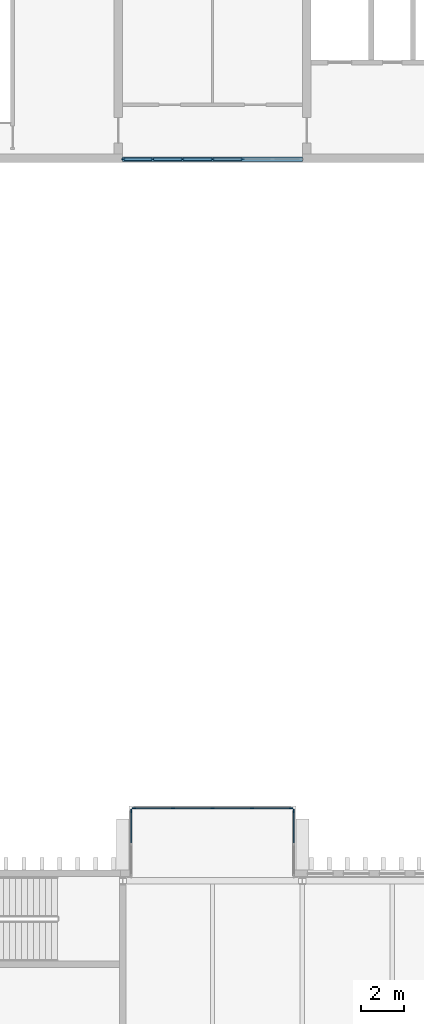
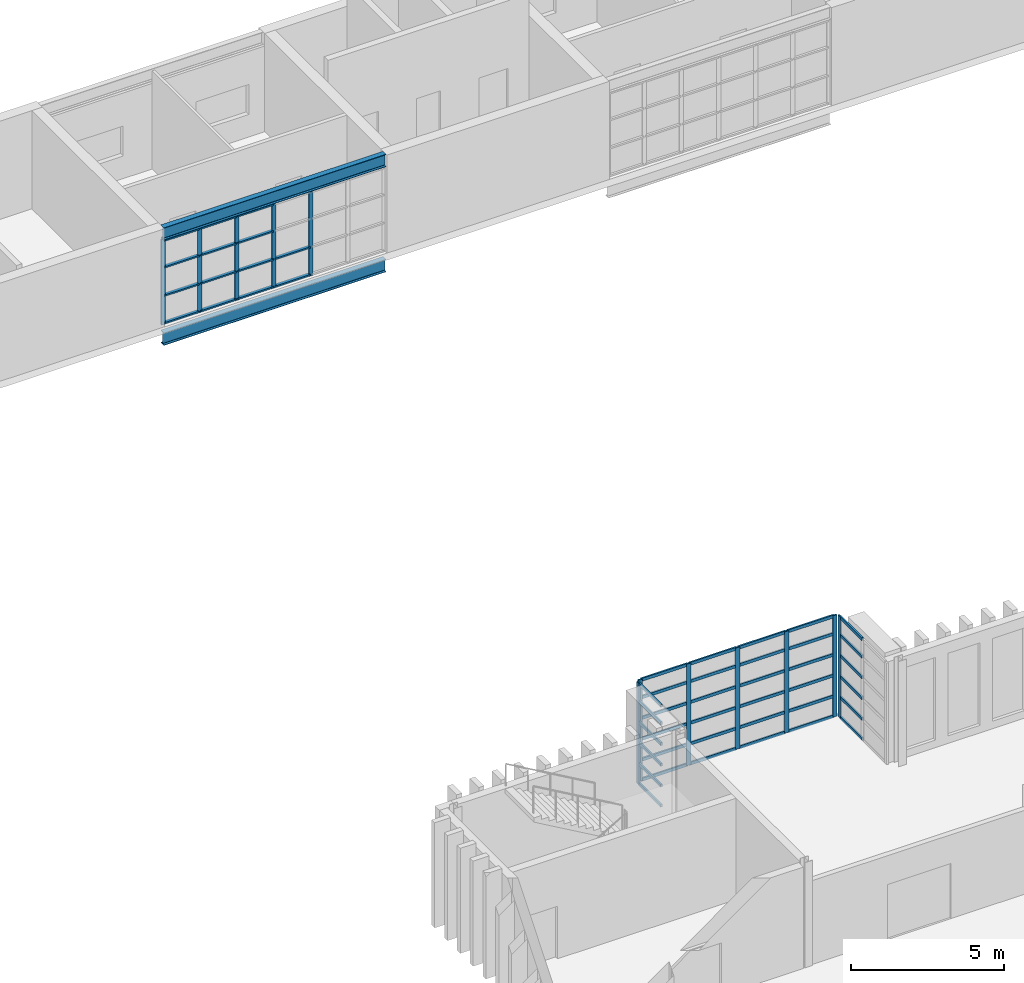
# One storey, part 19 of 100: 62 members, 2 beams, 4 elements without a shape of their own.
"""IFC4 building model written with IfcOpenShell, lengths in metres."""

from ifc_helpers import new_model, si_unit, direction, frame, origin, origin_2d, place, context, subcontext, project, spatial, rectangle, i_section, extrude, material, layer, layer_set, material_profile, profile_set, type_object, element, aggregate, save


model = new_model("IFC4")

# Units and contexts
model_context = context("Model", 3, precision=1e-05, world=origin(), true_north=direction((0.0, 1.0)))
body_context = subcontext(model_context, "Body", "Model", "MODEL_VIEW")
ifc_project = project(units=[si_unit("LENGTHUNIT", "METRE"), si_unit("AREAUNIT", "SQUARE_METRE"), si_unit("VOLUMEUNIT", "CUBIC_METRE"), si_unit("PLANEANGLEUNIT", "RADIAN"), si_unit("MASSUNIT", "GRAM", prefix="KILO")], contexts=[model_context])

# Site, building, storey
site_placement = place(None, origin())
site = spatial("IfcSite", under=ifc_project, at=site_placement, CompositionType="ELEMENT")
building_placement = place(site_placement, origin())
building = spatial("IfcBuilding", under=site, at=building_placement, Name="Cresset Court Congress Hotel", CompositionType="ELEMENT")
storey_placement = place(building_placement, frame((0.0, 0.0, 10.199951171875)))
storey = spatial("IfcBuildingStorey", under=building, at=storey_placement, Name="L02", CompositionType="ELEMENT", Elevation=10.199951171875)

# Curtain wall, members
ifc_material_1 = material(Name="Aluminium frame with double glazing", Category="aluminium")
ifc_layer = layer(ifc_material_1, 0.199951171875)
ifc_layer_set = layer_set([ifc_layer], Name="Glazed box curtain wall 1680 module")
curtain_wall_type_1 = type_object("IfcCurtainWallType", Name="Glazed box curtain wall 1680 module", PredefinedType="NOTDEFINED", material=ifc_layer_set)
curtain_wall_1_placement = place(storey_placement, origin())
curtain_wall_1 = element("IfcCurtainWall", 1, at=curtain_wall_1_placement, inside=storey, type_object=curtain_wall_type_1, Name="Glazed box N0224 front", PredefinedType="NOTDEFINED")
ifc_material_2 = material(Name="Aluminium", Category="aluminium")
ifc_material_profile_1 = material_profile(ifc_material_2, rectangle(XDim=0.06005859375, YDim=0.159912109375, at=origin_2d()), Name="Box mullion 60x160")
ifc_profile_set_1 = profile_set([ifc_material_profile_1], Name="Aluminium")
member_type_1 = type_object("IfcMemberType", Name="Box mullion 60x160", PredefinedType="MULLION", material=ifc_profile_set_1)
member_1_placement = place(storey_placement, frame((17.330078125, 28.60009765625, 0.0), z_axis=(0.0, 0.0, 1.0), x_axis=(0.0, 1.0, 0.0)))
member_1 = element("IfcMember", 2, at=member_1_placement, type_object=member_type_1, Name="B-X1 mullion 1", PredefinedType="MULLION", context=body_context, shape_type="SweptSolid", body=[
    extrude(rectangle(XDim=0.06005859375, YDim=0.159912109375, at=origin_2d()), origin(), (0.0, 0.0, 1.0), 4.050048828125),
])
member_2_placement = place(storey_placement, frame((19.14990234375, 28.60009765625, 0.0), z_axis=(0.0, 0.0, 1.0), x_axis=(0.0, 1.0, 0.0)))
member_2 = element("IfcMember", 3, at=member_2_placement, type_object=member_type_1, Name="B-X1 mullion 2", PredefinedType="MULLION", context=body_context, shape_type="SweptSolid", body=[
    extrude(rectangle(XDim=0.06005859375, YDim=0.159912109375, at=origin_2d()), origin(), (0.0, 0.0, 1.0), 4.050048828125),
])
member_3_placement = place(storey_placement, frame((21.0, 28.60009765625, 0.0), z_axis=(0.0, 0.0, 1.0), x_axis=(0.0, 1.0, 0.0)))
member_3 = element("IfcMember", 4, at=member_3_placement, type_object=member_type_1, Name="B-X1 mullion 3", PredefinedType="MULLION", context=body_context, shape_type="SweptSolid", body=[
    extrude(rectangle(XDim=0.06005859375, YDim=0.159912109375, at=origin_2d()), origin(), (0.0, 0.0, 1.0), 4.050048828125),
])
member_4_placement = place(storey_placement, frame((22.85009765625, 28.60009765625, 0.0), z_axis=(0.0, 0.0, 1.0), x_axis=(0.0, 1.0, 0.0)))
member_4 = element("IfcMember", 5, at=member_4_placement, type_object=member_type_1, Name="B-X1 mullion 4", PredefinedType="MULLION", context=body_context, shape_type="SweptSolid", body=[
    extrude(rectangle(XDim=0.06005859375, YDim=0.159912109375, at=origin_2d()), origin(), (0.0, 0.0, 1.0), 4.050048828125),
])
member_5_placement = place(storey_placement, frame((24.669921875, 28.60009765625, 0.0), z_axis=(0.0, 0.0, 1.0), x_axis=(0.0, 1.0, 0.0)))
member_5 = element("IfcMember", 6, at=member_5_placement, type_object=member_type_1, Name="B-X1 mullion 5", PredefinedType="MULLION", context=body_context, shape_type="SweptSolid", body=[
    extrude(rectangle(XDim=0.06005859375, YDim=0.159912109375, at=origin_2d()), origin(), (0.0, 0.0, 1.0), 4.050048828125),
])

# Curtain wall, member
curtain_wall_2_placement = place(storey_placement, origin())
curtain_wall_2 = element("IfcCurtainWall", 7, at=curtain_wall_2_placement, inside=storey, type_object=curtain_wall_type_1, Name="Glazed box N0224 side", PredefinedType="NOTDEFINED")
member_6_placement = place(storey_placement, frame((17.199951171875, 28.469970703125, 0.0), z_axis=(0.0, 0.0, 1.0), x_axis=(-1.0, 0.0, 0.0)))
member_6 = element("IfcMember", 8, at=member_6_placement, type_object=member_type_1, Name="B-X1 mullion 3", PredefinedType="MULLION", context=body_context, shape_type="SweptSolid", body=[
    extrude(rectangle(XDim=0.06005859375, YDim=0.159912109375, at=origin_2d()), origin(), (0.0, 0.0, 1.0), 4.050048828125),
])

curtain_wall_3_placement = place(storey_placement, origin())
curtain_wall_3 = element("IfcCurtainWall", 9, at=curtain_wall_3_placement, inside=storey, type_object=curtain_wall_type_1, Name="Glazed box N0224 side", PredefinedType="NOTDEFINED")
member_7_placement = place(storey_placement, frame((24.800048828125, 28.469970703125, 0.0), z_axis=(0.0, 0.0, 1.0), x_axis=(-1.0, 0.0, 0.0)))
member_7 = element("IfcMember", 10, at=member_7_placement, type_object=member_type_1, Name="B-X1 mullion 3", PredefinedType="MULLION", context=body_context, shape_type="SweptSolid", body=[
    extrude(rectangle(XDim=0.06005859375, YDim=0.159912109375, at=origin_2d()), origin(), (0.0, 0.0, 1.0), 4.050048828125),
])

# Member
ifc_material_3 = material(Name="Aluminium", Category="aluminium")
ifc_material_profile_2 = material_profile(ifc_material_3, rectangle(XDim=0.06005859375, YDim=0.1201171875, at=origin_2d()), Name="Box transom 60x120")
ifc_profile_set_2 = profile_set([ifc_material_profile_2], Name="Aluminium")
member_type_2 = type_object("IfcMemberType", Name="Box transom 60x120", PredefinedType="USERDEFINED", material=ifc_profile_set_2)
member_8_placement = place(storey_placement, frame((17.360107421875, 28.60009765625, 0.030029296875), z_axis=(1.0, 0.0, 0.0), x_axis=(0.0, 1.0, 0.0)))
member_8 = element("IfcMember", 11, at=member_8_placement, type_object=member_type_2, Name="B-X1 transom 1.1", ObjectType="TRANSOM", PredefinedType="USERDEFINED", context=body_context, shape_type="SweptSolid", body=[
    extrude(rectangle(XDim=0.06005859375, YDim=0.1201171875, at=origin_2d()), origin(), (0.0, 0.0, 1.0), 1.760009765625),
])

member_9_placement = place(storey_placement, frame((17.360107421875, 28.60009765625, 0.830078125), z_axis=(1.0, 0.0, 0.0), x_axis=(0.0, 1.0, 0.0)))
member_9 = element("IfcMember", 12, at=member_9_placement, type_object=member_type_2, Name="B-X1 transom 1.2", ObjectType="TRANSOM", PredefinedType="USERDEFINED", context=body_context, shape_type="SweptSolid", body=[
    extrude(rectangle(XDim=0.06005859375, YDim=0.1201171875, at=origin_2d()), origin(), (0.0, 0.0, 1.0), 1.760009765625),
])

member_10_placement = place(storey_placement, frame((17.360107421875, 28.60009765625, 1.66015625), z_axis=(1.0, 0.0, 0.0), x_axis=(0.0, 1.0, 0.0)))
member_10 = element("IfcMember", 13, at=member_10_placement, type_object=member_type_2, Name="B-X1 transom 1.3", ObjectType="TRANSOM", PredefinedType="USERDEFINED", context=body_context, shape_type="SweptSolid", body=[
    extrude(rectangle(XDim=0.06005859375, YDim=0.1201171875, at=origin_2d()), origin(), (0.0, 0.0, 1.0), 1.760009765625),
])

member_11_placement = place(storey_placement, frame((17.360107421875, 28.60009765625, 2.489990234375), z_axis=(1.0, 0.0, 0.0), x_axis=(0.0, 1.0, 0.0)))
member_11 = element("IfcMember", 14, at=member_11_placement, type_object=member_type_2, Name="B-X1 transom 1.4", ObjectType="TRANSOM", PredefinedType="USERDEFINED", context=body_context, shape_type="SweptSolid", body=[
    extrude(rectangle(XDim=0.06005859375, YDim=0.1201171875, at=origin_2d()), origin(), (0.0, 0.0, 1.0), 1.760009765625),
])

member_12_placement = place(storey_placement, frame((17.360107421875, 28.60009765625, 3.320068359375), z_axis=(1.0, 0.0, 0.0), x_axis=(0.0, 1.0, 0.0)))
member_12 = element("IfcMember", 15, at=member_12_placement, type_object=member_type_2, Name="B-X1 transom 1.5", ObjectType="TRANSOM", PredefinedType="USERDEFINED", context=body_context, shape_type="SweptSolid", body=[
    extrude(rectangle(XDim=0.06005859375, YDim=0.1201171875, at=origin_2d()), origin(), (0.0, 0.0, 1.0), 1.760009765625),
])

member_13_placement = place(storey_placement, frame((17.360107421875, 28.60009765625, 4.02001953125), z_axis=(1.0, 0.0, 0.0), x_axis=(0.0, 1.0, 0.0)))
member_13 = element("IfcMember", 16, at=member_13_placement, type_object=member_type_2, Name="B-X1 transom 1.6", ObjectType="TRANSOM", PredefinedType="USERDEFINED", context=body_context, shape_type="SweptSolid", body=[
    extrude(rectangle(XDim=0.06005859375, YDim=0.1201171875, at=origin_2d()), origin(), (0.0, 0.0, 1.0), 1.760009765625),
])

member_14_placement = place(storey_placement, frame((19.179931640625, 28.60009765625, 0.030029296875), z_axis=(1.0, 0.0, 0.0), x_axis=(0.0, 1.0, 0.0)))
member_14 = element("IfcMember", 17, at=member_14_placement, type_object=member_type_2, Name="B-X1 transom 2.1", ObjectType="TRANSOM", PredefinedType="USERDEFINED", context=body_context, shape_type="SweptSolid", body=[
    extrude(rectangle(XDim=0.06005859375, YDim=0.1201171875, at=origin_2d()), origin(), (0.0, 0.0, 1.0), 1.7900390625),
])

member_15_placement = place(storey_placement, frame((19.179931640625, 28.60009765625, 0.830078125), z_axis=(1.0, 0.0, 0.0), x_axis=(0.0, 1.0, 0.0)))
member_15 = element("IfcMember", 18, at=member_15_placement, type_object=member_type_2, Name="B-X1 transom 2.2", ObjectType="TRANSOM", PredefinedType="USERDEFINED", context=body_context, shape_type="SweptSolid", body=[
    extrude(rectangle(XDim=0.06005859375, YDim=0.1201171875, at=origin_2d()), origin(), (0.0, 0.0, 1.0), 1.7900390625),
])

member_16_placement = place(storey_placement, frame((19.179931640625, 28.60009765625, 1.66015625), z_axis=(1.0, 0.0, 0.0), x_axis=(0.0, 1.0, 0.0)))
member_16 = element("IfcMember", 19, at=member_16_placement, type_object=member_type_2, Name="B-X1 transom 2.3", ObjectType="TRANSOM", PredefinedType="USERDEFINED", context=body_context, shape_type="SweptSolid", body=[
    extrude(rectangle(XDim=0.06005859375, YDim=0.1201171875, at=origin_2d()), origin(), (0.0, 0.0, 1.0), 1.7900390625),
])

member_17_placement = place(storey_placement, frame((19.179931640625, 28.60009765625, 2.489990234375), z_axis=(1.0, 0.0, 0.0), x_axis=(0.0, 1.0, 0.0)))
member_17 = element("IfcMember", 20, at=member_17_placement, type_object=member_type_2, Name="B-X1 transom 2.4", ObjectType="TRANSOM", PredefinedType="USERDEFINED", context=body_context, shape_type="SweptSolid", body=[
    extrude(rectangle(XDim=0.06005859375, YDim=0.1201171875, at=origin_2d()), origin(), (0.0, 0.0, 1.0), 1.7900390625),
])

member_18_placement = place(storey_placement, frame((19.179931640625, 28.60009765625, 3.320068359375), z_axis=(1.0, 0.0, 0.0), x_axis=(0.0, 1.0, 0.0)))
member_18 = element("IfcMember", 21, at=member_18_placement, type_object=member_type_2, Name="B-X1 transom 2.5", ObjectType="TRANSOM", PredefinedType="USERDEFINED", context=body_context, shape_type="SweptSolid", body=[
    extrude(rectangle(XDim=0.06005859375, YDim=0.1201171875, at=origin_2d()), origin(), (0.0, 0.0, 1.0), 1.7900390625),
])

member_19_placement = place(storey_placement, frame((19.179931640625, 28.60009765625, 4.02001953125), z_axis=(1.0, 0.0, 0.0), x_axis=(0.0, 1.0, 0.0)))
member_19 = element("IfcMember", 22, at=member_19_placement, type_object=member_type_2, Name="B-X1 transom 2.6", ObjectType="TRANSOM", PredefinedType="USERDEFINED", context=body_context, shape_type="SweptSolid", body=[
    extrude(rectangle(XDim=0.06005859375, YDim=0.1201171875, at=origin_2d()), origin(), (0.0, 0.0, 1.0), 1.7900390625),
])

member_20_placement = place(storey_placement, frame((21.030029296875, 28.60009765625, 0.030029296875), z_axis=(1.0, 0.0, 0.0), x_axis=(0.0, 1.0, 0.0)))
member_20 = element("IfcMember", 23, at=member_20_placement, type_object=member_type_2, Name="B-X1 transom 3.1", ObjectType="TRANSOM", PredefinedType="USERDEFINED", context=body_context, shape_type="SweptSolid", body=[
    extrude(rectangle(XDim=0.06005859375, YDim=0.1201171875, at=origin_2d()), origin(), (0.0, 0.0, 1.0), 1.7900390625),
])

member_21_placement = place(storey_placement, frame((21.030029296875, 28.60009765625, 0.830078125), z_axis=(1.0, 0.0, 0.0), x_axis=(0.0, 1.0, 0.0)))
member_21 = element("IfcMember", 24, at=member_21_placement, type_object=member_type_2, Name="B-X1 transom 3.2", ObjectType="TRANSOM", PredefinedType="USERDEFINED", context=body_context, shape_type="SweptSolid", body=[
    extrude(rectangle(XDim=0.06005859375, YDim=0.1201171875, at=origin_2d()), origin(), (0.0, 0.0, 1.0), 1.7900390625),
])

member_22_placement = place(storey_placement, frame((21.030029296875, 28.60009765625, 1.66015625), z_axis=(1.0, 0.0, 0.0), x_axis=(0.0, 1.0, 0.0)))
member_22 = element("IfcMember", 25, at=member_22_placement, type_object=member_type_2, Name="B-X1 transom 3.3", ObjectType="TRANSOM", PredefinedType="USERDEFINED", context=body_context, shape_type="SweptSolid", body=[
    extrude(rectangle(XDim=0.06005859375, YDim=0.1201171875, at=origin_2d()), origin(), (0.0, 0.0, 1.0), 1.7900390625),
])

member_23_placement = place(storey_placement, frame((21.030029296875, 28.60009765625, 2.489990234375), z_axis=(1.0, 0.0, 0.0), x_axis=(0.0, 1.0, 0.0)))
member_23 = element("IfcMember", 26, at=member_23_placement, type_object=member_type_2, Name="B-X1 transom 3.4", ObjectType="TRANSOM", PredefinedType="USERDEFINED", context=body_context, shape_type="SweptSolid", body=[
    extrude(rectangle(XDim=0.06005859375, YDim=0.1201171875, at=origin_2d()), origin(), (0.0, 0.0, 1.0), 1.7900390625),
])

member_24_placement = place(storey_placement, frame((21.030029296875, 28.60009765625, 3.320068359375), z_axis=(1.0, 0.0, 0.0), x_axis=(0.0, 1.0, 0.0)))
member_24 = element("IfcMember", 27, at=member_24_placement, type_object=member_type_2, Name="B-X1 transom 3.5", ObjectType="TRANSOM", PredefinedType="USERDEFINED", context=body_context, shape_type="SweptSolid", body=[
    extrude(rectangle(XDim=0.06005859375, YDim=0.1201171875, at=origin_2d()), origin(), (0.0, 0.0, 1.0), 1.7900390625),
])

member_25_placement = place(storey_placement, frame((21.030029296875, 28.60009765625, 4.02001953125), z_axis=(1.0, 0.0, 0.0), x_axis=(0.0, 1.0, 0.0)))
member_25 = element("IfcMember", 28, at=member_25_placement, type_object=member_type_2, Name="B-X1 transom 3.6", ObjectType="TRANSOM", PredefinedType="USERDEFINED", context=body_context, shape_type="SweptSolid", body=[
    extrude(rectangle(XDim=0.06005859375, YDim=0.1201171875, at=origin_2d()), origin(), (0.0, 0.0, 1.0), 1.7900390625),
])

member_26_placement = place(storey_placement, frame((22.8798828125, 28.60009765625, 0.030029296875), z_axis=(1.0, 0.0, 0.0), x_axis=(0.0, 1.0, 0.0)))
member_26 = element("IfcMember", 29, at=member_26_placement, type_object=member_type_2, Name="B-X1 transom 4.1", ObjectType="TRANSOM", PredefinedType="USERDEFINED", context=body_context, shape_type="SweptSolid", body=[
    extrude(rectangle(XDim=0.06005859375, YDim=0.1201171875, at=origin_2d()), origin(), (0.0, 0.0, 1.0), 1.760009765625),
])

member_27_placement = place(storey_placement, frame((22.8798828125, 28.60009765625, 0.830078125), z_axis=(1.0, 0.0, 0.0), x_axis=(0.0, 1.0, 0.0)))
member_27 = element("IfcMember", 30, at=member_27_placement, type_object=member_type_2, Name="B-X1 transom 4.2", ObjectType="TRANSOM", PredefinedType="USERDEFINED", context=body_context, shape_type="SweptSolid", body=[
    extrude(rectangle(XDim=0.06005859375, YDim=0.1201171875, at=origin_2d()), origin(), (0.0, 0.0, 1.0), 1.760009765625),
])

member_28_placement = place(storey_placement, frame((22.8798828125, 28.60009765625, 1.66015625), z_axis=(1.0, 0.0, 0.0), x_axis=(0.0, 1.0, 0.0)))
member_28 = element("IfcMember", 31, at=member_28_placement, type_object=member_type_2, Name="B-X1 transom 4.3", ObjectType="TRANSOM", PredefinedType="USERDEFINED", context=body_context, shape_type="SweptSolid", body=[
    extrude(rectangle(XDim=0.06005859375, YDim=0.1201171875, at=origin_2d()), origin(), (0.0, 0.0, 1.0), 1.760009765625),
])

member_29_placement = place(storey_placement, frame((22.8798828125, 28.60009765625, 2.489990234375), z_axis=(1.0, 0.0, 0.0), x_axis=(0.0, 1.0, 0.0)))
member_29 = element("IfcMember", 32, at=member_29_placement, type_object=member_type_2, Name="B-X1 transom 4.4", ObjectType="TRANSOM", PredefinedType="USERDEFINED", context=body_context, shape_type="SweptSolid", body=[
    extrude(rectangle(XDim=0.06005859375, YDim=0.1201171875, at=origin_2d()), origin(), (0.0, 0.0, 1.0), 1.760009765625),
])

member_30_placement = place(storey_placement, frame((22.8798828125, 28.60009765625, 3.320068359375), z_axis=(1.0, 0.0, 0.0), x_axis=(0.0, 1.0, 0.0)))
member_30 = element("IfcMember", 33, at=member_30_placement, type_object=member_type_2, Name="B-X1 transom 4.5", ObjectType="TRANSOM", PredefinedType="USERDEFINED", context=body_context, shape_type="SweptSolid", body=[
    extrude(rectangle(XDim=0.06005859375, YDim=0.1201171875, at=origin_2d()), origin(), (0.0, 0.0, 1.0), 1.760009765625),
])

member_31_placement = place(storey_placement, frame((22.8798828125, 28.60009765625, 4.02001953125), z_axis=(1.0, 0.0, 0.0), x_axis=(0.0, 1.0, 0.0)))
member_31 = element("IfcMember", 34, at=member_31_placement, type_object=member_type_2, Name="B-X1 transom 4.6", ObjectType="TRANSOM", PredefinedType="USERDEFINED", context=body_context, shape_type="SweptSolid", body=[
    extrude(rectangle(XDim=0.06005859375, YDim=0.1201171875, at=origin_2d()), origin(), (0.0, 0.0, 1.0), 1.760009765625),
])

aggregate(curtain_wall_1, [member_1, member_2, member_3, member_4, member_5, member_8, member_9, member_10, member_11, member_12, member_13, member_14, member_15, member_16, member_17, member_18, member_19, member_20, member_21, member_22, member_23, member_24, member_25, member_26, member_27, member_28, member_29, member_30, member_31])

member_32_placement = place(storey_placement, frame((17.199951171875, 26.97998046875, 0.030029296875), z_axis=(0.0, 1.0, 0.0), x_axis=(-1.0, 0.0, 0.0)))
member_32 = element("IfcMember", 35, at=member_32_placement, type_object=member_type_2, Name="B-X1 transom 2.1", ObjectType="TRANSOM", PredefinedType="USERDEFINED", context=body_context, shape_type="SweptSolid", body=[
    extrude(rectangle(XDim=0.06005859375, YDim=0.1201171875, at=origin_2d()), origin(), (0.0, 0.0, 1.0), 1.4599609375),
])

member_33_placement = place(storey_placement, frame((17.199951171875, 26.97998046875, 0.830078125), z_axis=(0.0, 1.0, 0.0), x_axis=(-1.0, 0.0, 0.0)))
member_33 = element("IfcMember", 36, at=member_33_placement, type_object=member_type_2, Name="B-X1 transom 2.2", ObjectType="TRANSOM", PredefinedType="USERDEFINED", context=body_context, shape_type="SweptSolid", body=[
    extrude(rectangle(XDim=0.06005859375, YDim=0.1201171875, at=origin_2d()), origin(), (0.0, 0.0, 1.0), 1.4599609375),
])

member_34_placement = place(storey_placement, frame((17.199951171875, 26.97998046875, 1.66015625), z_axis=(0.0, 1.0, 0.0), x_axis=(-1.0, 0.0, 0.0)))
member_34 = element("IfcMember", 37, at=member_34_placement, type_object=member_type_2, Name="B-X1 transom 2.3", ObjectType="TRANSOM", PredefinedType="USERDEFINED", context=body_context, shape_type="SweptSolid", body=[
    extrude(rectangle(XDim=0.06005859375, YDim=0.1201171875, at=origin_2d()), origin(), (0.0, 0.0, 1.0), 1.4599609375),
])

member_35_placement = place(storey_placement, frame((17.199951171875, 26.97998046875, 2.489990234375), z_axis=(0.0, 1.0, 0.0), x_axis=(-1.0, 0.0, 0.0)))
member_35 = element("IfcMember", 38, at=member_35_placement, type_object=member_type_2, Name="B-X1 transom 2.4", ObjectType="TRANSOM", PredefinedType="USERDEFINED", context=body_context, shape_type="SweptSolid", body=[
    extrude(rectangle(XDim=0.06005859375, YDim=0.1201171875, at=origin_2d()), origin(), (0.0, 0.0, 1.0), 1.4599609375),
])

member_36_placement = place(storey_placement, frame((17.199951171875, 26.97998046875, 3.320068359375), z_axis=(0.0, 1.0, 0.0), x_axis=(-1.0, 0.0, 0.0)))
member_36 = element("IfcMember", 39, at=member_36_placement, type_object=member_type_2, Name="B-X1 transom 2.5", ObjectType="TRANSOM", PredefinedType="USERDEFINED", context=body_context, shape_type="SweptSolid", body=[
    extrude(rectangle(XDim=0.06005859375, YDim=0.1201171875, at=origin_2d()), origin(), (0.0, 0.0, 1.0), 1.4599609375),
])

member_37_placement = place(storey_placement, frame((17.199951171875, 26.97998046875, 4.02001953125), z_axis=(0.0, 1.0, 0.0), x_axis=(-1.0, 0.0, 0.0)))
member_37 = element("IfcMember", 40, at=member_37_placement, type_object=member_type_2, Name="B-X1 transom 2.6", ObjectType="TRANSOM", PredefinedType="USERDEFINED", context=body_context, shape_type="SweptSolid", body=[
    extrude(rectangle(XDim=0.06005859375, YDim=0.1201171875, at=origin_2d()), origin(), (0.0, 0.0, 1.0), 1.4599609375),
])

aggregate(curtain_wall_2, [member_6, member_32, member_33, member_34, member_35, member_36, member_37])

member_38_placement = place(storey_placement, frame((24.800048828125, 26.97998046875, 0.030029296875), z_axis=(0.0, 1.0, 0.0), x_axis=(-1.0, 0.0, 0.0)))
member_38 = element("IfcMember", 41, at=member_38_placement, type_object=member_type_2, Name="B-X1 transom 2.1", ObjectType="TRANSOM", PredefinedType="USERDEFINED", context=body_context, shape_type="SweptSolid", body=[
    extrude(rectangle(XDim=0.06005859375, YDim=0.1201171875, at=origin_2d()), origin(), (0.0, 0.0, 1.0), 1.4599609375),
])

member_39_placement = place(storey_placement, frame((24.800048828125, 26.97998046875, 0.830078125), z_axis=(0.0, 1.0, 0.0), x_axis=(-1.0, 0.0, 0.0)))
member_39 = element("IfcMember", 42, at=member_39_placement, type_object=member_type_2, Name="B-X1 transom 2.2", ObjectType="TRANSOM", PredefinedType="USERDEFINED", context=body_context, shape_type="SweptSolid", body=[
    extrude(rectangle(XDim=0.06005859375, YDim=0.1201171875, at=origin_2d()), origin(), (0.0, 0.0, 1.0), 1.4599609375),
])

member_40_placement = place(storey_placement, frame((24.800048828125, 26.97998046875, 1.66015625), z_axis=(0.0, 1.0, 0.0), x_axis=(-1.0, 0.0, 0.0)))
member_40 = element("IfcMember", 43, at=member_40_placement, type_object=member_type_2, Name="B-X1 transom 2.3", ObjectType="TRANSOM", PredefinedType="USERDEFINED", context=body_context, shape_type="SweptSolid", body=[
    extrude(rectangle(XDim=0.06005859375, YDim=0.1201171875, at=origin_2d()), origin(), (0.0, 0.0, 1.0), 1.4599609375),
])

member_41_placement = place(storey_placement, frame((24.800048828125, 26.97998046875, 2.489990234375), z_axis=(0.0, 1.0, 0.0), x_axis=(-1.0, 0.0, 0.0)))
member_41 = element("IfcMember", 44, at=member_41_placement, type_object=member_type_2, Name="B-X1 transom 2.4", ObjectType="TRANSOM", PredefinedType="USERDEFINED", context=body_context, shape_type="SweptSolid", body=[
    extrude(rectangle(XDim=0.06005859375, YDim=0.1201171875, at=origin_2d()), origin(), (0.0, 0.0, 1.0), 1.4599609375),
])

member_42_placement = place(storey_placement, frame((24.800048828125, 26.97998046875, 3.320068359375), z_axis=(0.0, 1.0, 0.0), x_axis=(-1.0, 0.0, 0.0)))
member_42 = element("IfcMember", 45, at=member_42_placement, type_object=member_type_2, Name="B-X1 transom 2.5", ObjectType="TRANSOM", PredefinedType="USERDEFINED", context=body_context, shape_type="SweptSolid", body=[
    extrude(rectangle(XDim=0.06005859375, YDim=0.1201171875, at=origin_2d()), origin(), (0.0, 0.0, 1.0), 1.4599609375),
])

member_43_placement = place(storey_placement, frame((24.800048828125, 26.97998046875, 4.02001953125), z_axis=(0.0, 1.0, 0.0), x_axis=(-1.0, 0.0, 0.0)))
member_43 = element("IfcMember", 46, at=member_43_placement, type_object=member_type_2, Name="B-X1 transom 2.6", ObjectType="TRANSOM", PredefinedType="USERDEFINED", context=body_context, shape_type="SweptSolid", body=[
    extrude(rectangle(XDim=0.06005859375, YDim=0.1201171875, at=origin_2d()), origin(), (0.0, 0.0, 1.0), 1.4599609375),
])

aggregate(curtain_wall_3, [member_7, member_38, member_39, member_40, member_41, member_42, member_43])

# Curtain wall, members
ifc_material_4 = material(Name="Aluminium frame with insulated glass", Category="aluminium")
curtain_wall_type_2 = type_object("IfcCurtainWallType", Name="Curtain wall module 1400", PredefinedType="NOTDEFINED", material=ifc_material_4)
curtain_wall_4_placement = place(storey_placement, origin())
curtain_wall_4 = element("IfcCurtainWall", 47, at=curtain_wall_4_placement, inside=storey, type_object=curtain_wall_type_2, Name="Curtain wall W", PredefinedType="NOTDEFINED")
ifc_material_5 = material(Name="Aluminium", Category="aluminium")
ifc_material_profile_3 = material_profile(ifc_material_5, rectangle(XDim=0.1201171875, YDim=0.06005859375, at=origin_2d()), Name="AL 120x60")
ifc_profile_set_3 = profile_set([ifc_material_profile_3], Name="Aluminium")
member_type_3 = type_object("IfcMemberType", Name="CW transom RECT 120x60", PredefinedType="USERDEFINED", material=ifc_profile_set_3)
member_44_placement = place(storey_placement, frame((16.860107421875, 58.949951171875, 0.06005859375), z_axis=(1.0, 0.0, 0.0), x_axis=(0.0, 1.0, 0.0)))
member_44 = element("IfcMember", 48, at=member_44_placement, type_object=member_type_3, Name="D-X2 transom 1.1", ObjectType="TRANSOM", PredefinedType="USERDEFINED", context=body_context, shape_type="SweptSolid", body=[
    extrude(rectangle(XDim=0.1201171875, YDim=0.06005859375, at=origin_2d()), origin(), (0.0, 0.0, 1.0), 1.309814453125),
])
member_45_placement = place(storey_placement, frame((16.860107421875, 58.949951171875, 1.1630859375), z_axis=(1.0, 0.0, 0.0), x_axis=(0.0, 1.0, 0.0)))
member_45 = element("IfcMember", 49, at=member_45_placement, type_object=member_type_3, Name="D-X2 transom 1.2", ObjectType="TRANSOM", PredefinedType="USERDEFINED", context=body_context, shape_type="SweptSolid", body=[
    extrude(rectangle(XDim=0.1201171875, YDim=0.06005859375, at=origin_2d()), origin(), (0.0, 0.0, 1.0), 1.309814453125),
])
member_46_placement = place(storey_placement, frame((16.860107421875, 58.949951171875, 2.291015625), z_axis=(1.0, 0.0, 0.0), x_axis=(0.0, 1.0, 0.0)))
member_46 = element("IfcMember", 50, at=member_46_placement, type_object=member_type_3, Name="D-X2 transom 1.3", ObjectType="TRANSOM", PredefinedType="USERDEFINED", context=body_context, shape_type="SweptSolid", body=[
    extrude(rectangle(XDim=0.1201171875, YDim=0.06005859375, at=origin_2d()), origin(), (0.0, 0.0, 1.0), 1.309814453125),
])
member_47_placement = place(storey_placement, frame((16.860107421875, 58.949951171875, 3.360107421875), z_axis=(1.0, 0.0, 0.0), x_axis=(0.0, 1.0, 0.0)))
member_47 = element("IfcMember", 51, at=member_47_placement, type_object=member_type_3, Name="D-X2 transom 1.4", ObjectType="TRANSOM", PredefinedType="USERDEFINED", context=body_context, shape_type="SweptSolid", body=[
    extrude(rectangle(XDim=0.1201171875, YDim=0.06005859375, at=origin_2d()), origin(), (0.0, 0.0, 1.0), 1.309814453125),
])
member_48_placement = place(storey_placement, frame((18.22998046875, 58.949951171875, 0.06005859375), z_axis=(1.0, 0.0, 0.0), x_axis=(0.0, 1.0, 0.0)))
member_48 = element("IfcMember", 52, at=member_48_placement, type_object=member_type_3, Name="D-X2 transom 2.1", ObjectType="TRANSOM", PredefinedType="USERDEFINED", context=body_context, shape_type="SweptSolid", body=[
    extrude(rectangle(XDim=0.1201171875, YDim=0.06005859375, at=origin_2d()), origin(), (0.0, 0.0, 1.0), 1.340087890625),
])
member_49_placement = place(storey_placement, frame((18.22998046875, 58.949951171875, 1.1630859375), z_axis=(1.0, 0.0, 0.0), x_axis=(0.0, 1.0, 0.0)))
member_49 = element("IfcMember", 53, at=member_49_placement, type_object=member_type_3, Name="D-X2 transom 2.2", ObjectType="TRANSOM", PredefinedType="USERDEFINED", context=body_context, shape_type="SweptSolid", body=[
    extrude(rectangle(XDim=0.1201171875, YDim=0.06005859375, at=origin_2d()), origin(), (0.0, 0.0, 1.0), 1.340087890625),
])
member_50_placement = place(storey_placement, frame((18.22998046875, 58.949951171875, 2.291015625), z_axis=(1.0, 0.0, 0.0), x_axis=(0.0, 1.0, 0.0)))
member_50 = element("IfcMember", 54, at=member_50_placement, type_object=member_type_3, Name="D-X2 transom 2.3", ObjectType="TRANSOM", PredefinedType="USERDEFINED", context=body_context, shape_type="SweptSolid", body=[
    extrude(rectangle(XDim=0.1201171875, YDim=0.06005859375, at=origin_2d()), origin(), (0.0, 0.0, 1.0), 1.340087890625),
])
member_51_placement = place(storey_placement, frame((18.22998046875, 58.949951171875, 3.360107421875), z_axis=(1.0, 0.0, 0.0), x_axis=(0.0, 1.0, 0.0)))
member_51 = element("IfcMember", 55, at=member_51_placement, type_object=member_type_3, Name="D-X2 transom 2.4", ObjectType="TRANSOM", PredefinedType="USERDEFINED", context=body_context, shape_type="SweptSolid", body=[
    extrude(rectangle(XDim=0.1201171875, YDim=0.06005859375, at=origin_2d()), origin(), (0.0, 0.0, 1.0), 1.340087890625),
])
member_52_placement = place(storey_placement, frame((19.6298828125, 58.949951171875, 0.06005859375), z_axis=(1.0, 0.0, 0.0), x_axis=(0.0, 1.0, 0.0)))
member_52 = element("IfcMember", 56, at=member_52_placement, type_object=member_type_3, Name="D-X2 transom 3.1", ObjectType="TRANSOM", PredefinedType="USERDEFINED", context=body_context, shape_type="SweptSolid", body=[
    extrude(rectangle(XDim=0.1201171875, YDim=0.06005859375, at=origin_2d()), origin(), (0.0, 0.0, 1.0), 1.340087890625),
])
member_53_placement = place(storey_placement, frame((19.6298828125, 58.949951171875, 1.1630859375), z_axis=(1.0, 0.0, 0.0), x_axis=(0.0, 1.0, 0.0)))
member_53 = element("IfcMember", 57, at=member_53_placement, type_object=member_type_3, Name="D-X2 transom 3.2", ObjectType="TRANSOM", PredefinedType="USERDEFINED", context=body_context, shape_type="SweptSolid", body=[
    extrude(rectangle(XDim=0.1201171875, YDim=0.06005859375, at=origin_2d()), origin(), (0.0, 0.0, 1.0), 1.340087890625),
])
member_54_placement = place(storey_placement, frame((19.6298828125, 58.949951171875, 2.291015625), z_axis=(1.0, 0.0, 0.0), x_axis=(0.0, 1.0, 0.0)))
member_54 = element("IfcMember", 58, at=member_54_placement, type_object=member_type_3, Name="D-X2 transom 3.3", ObjectType="TRANSOM", PredefinedType="USERDEFINED", context=body_context, shape_type="SweptSolid", body=[
    extrude(rectangle(XDim=0.1201171875, YDim=0.06005859375, at=origin_2d()), origin(), (0.0, 0.0, 1.0), 1.340087890625),
])
member_55_placement = place(storey_placement, frame((19.6298828125, 58.949951171875, 3.360107421875), z_axis=(1.0, 0.0, 0.0), x_axis=(0.0, 1.0, 0.0)))
member_55 = element("IfcMember", 59, at=member_55_placement, type_object=member_type_3, Name="D-X2 transom 3.4", ObjectType="TRANSOM", PredefinedType="USERDEFINED", context=body_context, shape_type="SweptSolid", body=[
    extrude(rectangle(XDim=0.1201171875, YDim=0.06005859375, at=origin_2d()), origin(), (0.0, 0.0, 1.0), 1.340087890625),
])
member_56_placement = place(storey_placement, frame((21.030029296875, 58.949951171875, 0.06005859375), z_axis=(1.0, 0.0, 0.0), x_axis=(0.0, 1.0, 0.0)))
member_56 = element("IfcMember", 60, at=member_56_placement, type_object=member_type_3, Name="D-X2 transom 4.1", ObjectType="TRANSOM", PredefinedType="USERDEFINED", context=body_context, shape_type="SweptSolid", body=[
    extrude(rectangle(XDim=0.1201171875, YDim=0.06005859375, at=origin_2d()), origin(), (0.0, 0.0, 1.0), 1.340087890625),
])
member_57_placement = place(storey_placement, frame((21.030029296875, 58.949951171875, 1.1630859375), z_axis=(1.0, 0.0, 0.0), x_axis=(0.0, 1.0, 0.0)))
member_57 = element("IfcMember", 61, at=member_57_placement, type_object=member_type_3, Name="D-X2 transom 4.2", ObjectType="TRANSOM", PredefinedType="USERDEFINED", context=body_context, shape_type="SweptSolid", body=[
    extrude(rectangle(XDim=0.1201171875, YDim=0.06005859375, at=origin_2d()), origin(), (0.0, 0.0, 1.0), 1.340087890625),
])
ifc_material_6 = material(Name="Anodised aluminium", Category="aluminium")
ifc_material_profile_4 = material_profile(ifc_material_6, rectangle(XDim=0.06005859375, YDim=0.159912109375, at=origin_2d()), Name="AL60x160")
ifc_profile_set_4 = profile_set([ifc_material_profile_4], Name="Anodised aluminium")
member_type_4 = type_object("IfcMemberType", Name="Curtain wall mullion 60x160", PredefinedType="MULLION", material=ifc_profile_set_4)
member_58_placement = place(storey_placement, frame((16.830078125, 58.949951171875, 0.0), z_axis=(0.0, 0.0, 1.0), x_axis=(0.0, 1.0, 0.0)))
member_58 = element("IfcMember", 62, at=member_58_placement, type_object=member_type_4, Name="D-X2 mullion 1", PredefinedType="MULLION", context=body_context, shape_type="SweptSolid", body=[
    extrude(rectangle(XDim=0.06005859375, YDim=0.159912109375, at=origin_2d()), origin(), (0.0, 0.0, 1.0), 3.420166015625),
])
member_59_placement = place(storey_placement, frame((18.199951171875, 58.949951171875, 0.0), z_axis=(0.0, 0.0, 1.0), x_axis=(0.0, 1.0, 0.0)))
member_59 = element("IfcMember", 63, at=member_59_placement, type_object=member_type_4, Name="D-X2 mullion 2", PredefinedType="MULLION", context=body_context, shape_type="SweptSolid", body=[
    extrude(rectangle(XDim=0.06005859375, YDim=0.159912109375, at=origin_2d()), origin(), (0.0, 0.0, 1.0), 3.420166015625),
])
member_60_placement = place(storey_placement, frame((19.60009765625, 58.949951171875, 0.0), z_axis=(0.0, 0.0, 1.0), x_axis=(0.0, 1.0, 0.0)))
member_60 = element("IfcMember", 64, at=member_60_placement, type_object=member_type_4, Name="D-X2 mullion 3", PredefinedType="MULLION", context=body_context, shape_type="SweptSolid", body=[
    extrude(rectangle(XDim=0.06005859375, YDim=0.159912109375, at=origin_2d()), origin(), (0.0, 0.0, 1.0), 3.420166015625),
])
member_61_placement = place(storey_placement, frame((21.0, 58.949951171875, 0.0), z_axis=(0.0, 0.0, 1.0), x_axis=(0.0, 1.0, 0.0)))
member_61 = element("IfcMember", 65, at=member_61_placement, type_object=member_type_4, Name="D-X2 mullion 4", PredefinedType="MULLION", context=body_context, shape_type="SweptSolid", body=[
    extrude(rectangle(XDim=0.06005859375, YDim=0.159912109375, at=origin_2d()), origin(), (0.0, 0.0, 1.0), 3.420166015625),
])
member_62_placement = place(storey_placement, frame((22.39990234375, 58.949951171875, 0.0), z_axis=(0.0, 0.0, 1.0), x_axis=(0.0, 1.0, 0.0)))
member_62 = element("IfcMember", 66, at=member_62_placement, type_object=member_type_4, Name="D-X2 mullion 5", PredefinedType="MULLION", context=body_context, shape_type="SweptSolid", body=[
    extrude(rectangle(XDim=0.06005859375, YDim=0.159912109375, at=origin_2d()), origin(), (0.0, 0.0, 1.0), 3.420166015625),
])
aggregate(curtain_wall_4, [member_58, member_59, member_60, member_61, member_62, member_44, member_45, member_46, member_47, member_48, member_49, member_50, member_51, member_52, member_53, member_54, member_55, member_56, member_57])

# Beams
ifc_material_7 = material(Name="Structural steel Q355B", Category="steel")
ifc_material_profile_5 = material_profile(ifc_material_7, i_section(OverallWidth=0.199951171875, OverallDepth=0.5, WebThickness=0.010009765625, FlangeThickness=0.01611328125, FilletRadius=0.012939453125, at=origin_2d()), Name="HN500x200x10x16")
ifc_profile_set_5 = profile_set([ifc_material_profile_5], Name="Structural steel Q355B")
beam_type = type_object("IfcBeamType", Name="Steel edge beam HN500x200x10x16", PredefinedType="BEAM", material=ifc_profile_set_5)
for number, where, z_axis, x_axis, name in (
    (67, (16.800048828125, 58.949951171875, -0.530029296875), (1.0, 0.0, 0.0), (0.0, 1.0, 0.0), "Foyer edge beam WS"),
    (68, (16.800048828125, 58.949951171875, 3.670166015625), (1.0, 0.0, 0.0), (0.0, 1.0, 0.0), "Foyer edge beam WS"),
):
    element("IfcBeam", number, at=place(storey_placement, frame(where, z_axis=z_axis, x_axis=x_axis)), inside=storey, type_object=beam_type, Name=name, PredefinedType="BEAM", context=body_context, shape_type="SweptSolid", body=[
        extrude(i_section(OverallWidth=0.199951171875, OverallDepth=0.5, WebThickness=0.010009765625, FlangeThickness=0.01611328125, FilletRadius=0.012939453125, at=origin_2d()), origin(), (0.0, 0.0, 1.0), 8.39990234375),
    ])

save(model, "model.ifc")
